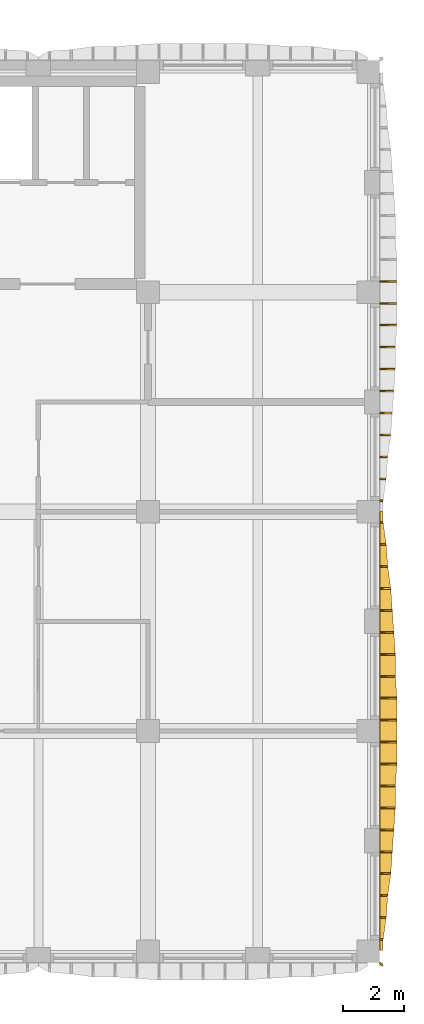
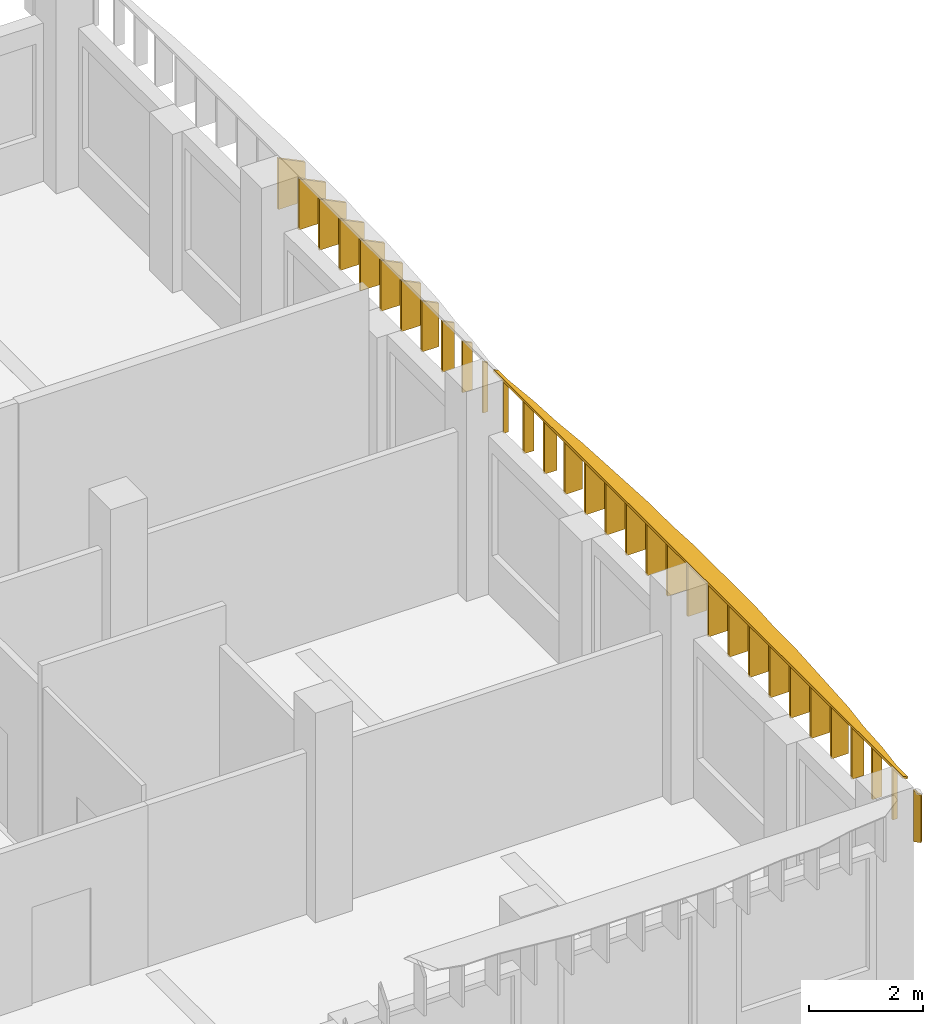
# One storey, part 34 of 54: 33 shading devices.
"""IFC4 building model written with IfcOpenShell, lengths in metres."""

from ifc_helpers import new_model, si_unit, direction, frame, origin, place, context, subcontext, project, spatial, polyline, outline, extrude, material, layer, layer_set, type_object, element, save


model = new_model("IFC4")

# Units and contexts
model_context = context("Model", 3, precision=1e-05, world=origin(), true_north=direction((0.0, 1.0)))
body_context = subcontext(model_context, "Body", "Model", "MODEL_VIEW")
ifc_project = project(units=[si_unit("LENGTHUNIT", "METRE"), si_unit("AREAUNIT", "SQUARE_METRE"), si_unit("VOLUMEUNIT", "CUBIC_METRE"), si_unit("PLANEANGLEUNIT", "RADIAN"), si_unit("MASSUNIT", "GRAM", prefix="KILO")], contexts=[model_context])

# Site, building, storey
site_placement = place(None, origin())
site = spatial("IfcSite", under=ifc_project, at=site_placement, CompositionType="ELEMENT")
building_placement = place(site_placement, origin())
building = spatial("IfcBuilding", under=site, at=building_placement, Name="Ussher Court Research Institute", CompositionType="ELEMENT")
storey_placement = place(building_placement, frame((0.0, 0.0, 14.39990234375)))
storey = spatial("IfcBuildingStorey", under=building, at=storey_placement, Name="L03", CompositionType="ELEMENT", Elevation=14.39990234375)

# Shading devices
ifc_material_1 = material(Name="Bronze anodised aluminium", Category="aluminium")
ifc_layer_1 = layer(ifc_material_1, 0.050048828125)
ifc_layer_set_1 = layer_set([ifc_layer_1], Name="Bronze anodised aluminium")
shading_device_type_1 = type_object("IfcShadingDeviceType", Name="Brim blade 100 mm deep 1100 mm high canted 26 deg wet", PredefinedType="USERDEFINED", material=ifc_layer_set_1)
for number, where, z_axis, x_axis, name in (
    (1, (104.199951171875, 18.760009765625, 3.35009765625), (0.0, 0.0, 1.0), (1.0, 0.0, 0.0), "Brim blade BS10 L03"),
    (2, (104.199951171875, 18.0400390625, 3.35009765625), (0.0, 0.0, 1.0), (1.0, 0.0, 0.0), "Brim blade BS10 L03"),
    (3, (104.199951171875, 4.360107421875, 3.35009765625), (0.0, 0.0, 1.0), (1.0, 0.0, 0.0), "Brim blade BS10 L03"),
):
    element("IfcShadingDevice", number, at=place(storey_placement, frame(where, z_axis=z_axis, x_axis=x_axis)), inside=storey, type_object=shading_device_type_1, Name=name, ObjectType="BLADE", PredefinedType="USERDEFINED", context=body_context, shape_type="SweptSolid", body=[
        extrude(outline(polyline([(0.0, 0.0), (0.10009765625, 0.0), (0.10009765625, 1.05126953125), (0.0, 1.10009765625), (0.0, 0.0)])), frame((0.0, 0.02490234375, 0.0), z_axis=(0.0, -1.0, 0.0), x_axis=(1.0, 0.0, 0.0)), (0.0, 0.0, 1.0), 0.050048828125),
    ])
ifc_material_2 = material(Name="Bronze anodised aluminium", Category="aluminium")
ifc_layer_2 = layer(ifc_material_2, 0.050048828125)
ifc_layer_set_2 = layer_set([ifc_layer_2], Name="Bronze anodised aluminium")
shading_device_type_2 = type_object("IfcShadingDeviceType", Name="Brim blade 200 mm deep 1100 mm high canted 26 deg wet", PredefinedType="USERDEFINED", material=ifc_layer_set_2)
for number, where, z_axis, x_axis, name in (
    (4, (104.199951171875, 19.47998046875, 3.35009765625), (0.0, 0.0, 1.0), (1.0, 0.0, 0.0), "Brim blade BS08 L03"),
    (5, (104.199951171875, 17.320068359375, 3.35009765625), (0.0, 0.0, 1.0), (1.0, 0.0, 0.0), "Brim blade BS08 L03"),
    (6, (104.199951171875, 5.080078125, 3.35009765625), (0.0, 0.0, 1.0), (1.0, 0.0, 0.0), "Brim blade BS08 L03"),
):
    element("IfcShadingDevice", number, at=place(storey_placement, frame(where, z_axis=z_axis, x_axis=x_axis)), inside=storey, type_object=shading_device_type_2, Name=name, ObjectType="BLADE", PredefinedType="USERDEFINED", context=body_context, shape_type="SweptSolid", body=[
        extrude(outline(polyline([(0.0, 0.0), (0.199951171875, 0.0), (0.199951171875, 1.00244140625), (0.0, 1.10009765625), (0.0, 0.0)])), frame((0.0, 0.02490234375, 0.0), z_axis=(0.0, -1.0, 0.0), x_axis=(1.0, 0.0, 0.0)), (0.0, 0.0, 1.0), 0.050048828125),
    ])
ifc_material_3 = material(Name="Bronze anodised aluminium", Category="aluminium")
ifc_layer_3 = layer(ifc_material_3, 0.050048828125)
ifc_layer_set_3 = layer_set([ifc_layer_3], Name="Bronze anodised aluminium")
shading_device_type_3 = type_object("IfcShadingDeviceType", Name="Brim blade 250 mm deep 1100 mm high canted 26 deg wet", PredefinedType="USERDEFINED", material=ifc_layer_set_3)
for number, where, z_axis, x_axis, name in (
    (7, (104.199951171875, 20.199951171875, 3.35009765625), (0.0, 0.0, 1.0), (1.0, 0.0, 0.0), "Brim blade BS07 L03"),
    (8, (104.199951171875, 16.60009765625, 3.35009765625), (0.0, 0.0, 1.0), (1.0, 0.0, 0.0), "Brim blade BS07 L03"),
    (9, (104.199951171875, 5.800048828125, 3.35009765625), (0.0, 0.0, 1.0), (1.0, 0.0, 0.0), "Brim blade BS07 L03"),
):
    element("IfcShadingDevice", number, at=place(storey_placement, frame(where, z_axis=z_axis, x_axis=x_axis)), inside=storey, type_object=shading_device_type_3, Name=name, ObjectType="BLADE", PredefinedType="USERDEFINED", context=body_context, shape_type="SweptSolid", body=[
        extrude(outline(polyline([(0.0, 0.0), (0.25, 0.0), (0.25, 0.97802734375), (0.0, 1.10009765625), (0.0, 0.0)])), frame((0.0, 0.02490234375, 0.0), z_axis=(0.0, -1.0, 0.0), x_axis=(1.0, 0.0, 0.0)), (0.0, 0.0, 1.0), 0.050048828125),
    ])
ifc_material_4 = material(Name="Bronze anodised aluminium", Category="aluminium")
ifc_layer_4 = layer(ifc_material_4, 0.050048828125)
ifc_layer_set_4 = layer_set([ifc_layer_4], Name="Bronze anodised aluminium")
shading_device_type_4 = type_object("IfcShadingDeviceType", Name="Brim blade 350 mm deep 1100 mm high canted 26 deg wet", PredefinedType="USERDEFINED", material=ifc_layer_set_4)
for number, where, z_axis, x_axis, name in (
    (10, (104.199951171875, 20.919921875, 3.35009765625), (0.0, 0.0, 1.0), (1.0, 0.0, 0.0), "Brim blade BS05 L03"),
    (11, (104.199951171875, 15.8798828125, 3.35009765625), (0.0, 0.0, 1.0), (1.0, 0.0, 0.0), "Brim blade BS05 L03"),
    (12, (104.199951171875, 6.52001953125, 3.35009765625), (0.0, 0.0, 1.0), (1.0, 0.0, 0.0), "Brim blade BS05 L03"),
):
    element("IfcShadingDevice", number, at=place(storey_placement, frame(where, z_axis=z_axis, x_axis=x_axis)), inside=storey, type_object=shading_device_type_4, Name=name, ObjectType="BLADE", PredefinedType="USERDEFINED", context=body_context, shape_type="SweptSolid", body=[
        extrude(outline(polyline([(0.0, 0.0), (0.35009765625, 0.0), (0.35009765625, 0.92919921875), (0.0, 1.10009765625), (0.0, 0.0)])), frame((0.0, 0.02490234375, 0.0), z_axis=(0.0, -1.0, 0.0), x_axis=(1.0, 0.0, 0.0)), (0.0, 0.0, 1.0), 0.050048828125),
    ])
ifc_material_5 = material(Name="Bronze anodised aluminium", Category="aluminium")
ifc_layer_5 = layer(ifc_material_5, 0.050048828125)
ifc_layer_set_5 = layer_set([ifc_layer_5], Name="Bronze anodised aluminium")
shading_device_type_5 = type_object("IfcShadingDeviceType", Name="Brim blade 400 mm deep 1100 mm high canted 26 deg wet", PredefinedType="USERDEFINED", material=ifc_layer_set_5)
for number, where, z_axis, x_axis, name in (
    (13, (104.199951171875, 21.639892578125, 3.35009765625), (0.0, 0.0, 1.0), (1.0, 0.0, 0.0), "Brim blade BS04 L03"),
    (14, (104.199951171875, 15.159912109375, 3.35009765625), (0.0, 0.0, 1.0), (1.0, 0.0, 0.0), "Brim blade BS04 L03"),
    (15, (104.199951171875, 7.239990234375, 3.35009765625), (0.0, 0.0, 1.0), (1.0, 0.0, 0.0), "Brim blade BS04 L03"),
):
    element("IfcShadingDevice", number, at=place(storey_placement, frame(where, z_axis=z_axis, x_axis=x_axis)), inside=storey, type_object=shading_device_type_5, Name=name, ObjectType="BLADE", PredefinedType="USERDEFINED", context=body_context, shape_type="SweptSolid", body=[
        extrude(outline(polyline([(0.0, 0.0), (0.400146484375, 0.0), (0.39990234375, 0.90478515625), (0.0, 1.10009765625), (0.0, 0.0)])), frame((0.0, 0.02490234375, 0.0), z_axis=(0.0, -1.0, 0.0), x_axis=(1.0, 0.0, 0.0)), (0.0, 0.0, 1.0), 0.050048828125),
    ])
ifc_material_6 = material(Name="Bronze anodised aluminium", Category="aluminium")
ifc_layer_6 = layer(ifc_material_6, 0.050048828125)
ifc_layer_set_6 = layer_set([ifc_layer_6], Name="Bronze anodised aluminium")
shading_device_type_6 = type_object("IfcShadingDeviceType", Name="Brim blade 450 mm deep 1100 mm high canted 26 deg wet", PredefinedType="USERDEFINED", material=ifc_layer_set_6)
for number, where, z_axis, x_axis, name in (
    (16, (104.199951171875, 22.360107421875, 3.35009765625), (0.0, 0.0, 1.0), (1.0, 0.0, 0.0), "Brim blade BS03 L03"),
    (17, (104.199951171875, 14.43994140625, 3.35009765625), (0.0, 0.0, 1.0), (1.0, 0.0, 0.0), "Brim blade BS03 L03"),
    (18, (104.199951171875, 7.9599609375, 3.35009765625), (0.0, 0.0, 1.0), (1.0, 0.0, 0.0), "Brim blade BS03 L03"),
):
    element("IfcShadingDevice", number, at=place(storey_placement, frame(where, z_axis=z_axis, x_axis=x_axis)), inside=storey, type_object=shading_device_type_6, Name=name, ObjectType="BLADE", PredefinedType="USERDEFINED", context=body_context, shape_type="SweptSolid", body=[
        extrude(outline(polyline([(0.0, 0.0), (0.449951171875, 0.0), (0.449951171875, 0.880615234375), (0.0, 1.10009765625), (0.0, 0.0)])), frame((0.0, 0.02490234375, 0.0), z_axis=(0.0, -1.0, 0.0), x_axis=(1.0, 0.0, 0.0)), (0.0, 0.0, 1.0), 0.050048828125),
    ])
ifc_material_7 = material(Name="Bronze anodised aluminium", Category="aluminium")
ifc_layer_7 = layer(ifc_material_7, 0.050048828125)
ifc_layer_set_7 = layer_set([ifc_layer_7], Name="Bronze anodised aluminium")
shading_device_type_7 = type_object("IfcShadingDeviceType", Name="Brim blade 500 mm deep 1100 mm high canted 26 deg wet", PredefinedType="USERDEFINED", material=ifc_layer_set_7)
for number, where, z_axis, x_axis, name in (
    (19, (104.199951171875, 23.800048828125, 3.35009765625), (0.0, 0.0, 1.0), (1.0, 0.0, 0.0), "Brim blade BS02 L03"),
    (20, (104.199951171875, 23.080078125, 3.35009765625), (0.0, 0.0, 1.0), (1.0, 0.0, 0.0), "Brim blade BS02 L03"),
    (21, (104.199951171875, 13.719970703125, 3.35009765625), (0.0, 0.0, 1.0), (1.0, 0.0, 0.0), "Brim blade BS02 L03"),
    (22, (104.199951171875, 13.0, 3.35009765625), (0.0, 0.0, 1.0), (1.0, 0.0, 0.0), "Brim blade BS02 L03"),
    (23, (104.199951171875, 9.39990234375, 3.35009765625), (0.0, 0.0, 1.0), (1.0, 0.0, 0.0), "Brim blade BS02 L03"),
    (24, (104.199951171875, 8.679931640625, 3.35009765625), (0.0, 0.0, 1.0), (1.0, 0.0, 0.0), "Brim blade BS02 L03"),
):
    element("IfcShadingDevice", number, at=place(storey_placement, frame(where, z_axis=z_axis, x_axis=x_axis)), inside=storey, type_object=shading_device_type_7, Name=name, ObjectType="BLADE", PredefinedType="USERDEFINED", context=body_context, shape_type="SweptSolid", body=[
        extrude(outline(polyline([(0.0, 0.0), (0.5, 0.0), (0.5, 0.856201171875), (0.0, 1.10009765625), (0.0, 0.0)])), frame((0.0, 0.02490234375, 0.0), z_axis=(0.0, -1.0, 0.0), x_axis=(1.0, 0.0, 0.0)), (0.0, 0.0, 1.0), 0.050048828125),
    ])
ifc_material_8 = material(Name="Bronze anodised aluminium", Category="aluminium")
ifc_layer_8 = layer(ifc_material_8, 0.050048828125)
ifc_layer_set_8 = layer_set([ifc_layer_8], Name="Bronze anodised aluminium")
shading_device_type_8 = type_object("IfcShadingDeviceType", Name="Brim blade 550 mm deep 1100 mm high canted 26 deg wet", PredefinedType="USERDEFINED", material=ifc_layer_set_8)
for number, where, z_axis, x_axis, name in (
    (25, (104.199951171875, 25.9599609375, 3.35009765625), (0.0, 0.0, 1.0), (1.0, 0.0, 0.0), "Brim blade BS01 L03"),
    (26, (104.199951171875, 25.239990234375, 3.35009765625), (0.0, 0.0, 1.0), (1.0, 0.0, 0.0), "Brim blade BS01 L03"),
    (27, (104.199951171875, 24.52001953125, 3.35009765625), (0.0, 0.0, 1.0), (1.0, 0.0, 0.0), "Brim blade BS01 L03"),
    (28, (104.199951171875, 12.280029296875, 3.35009765625), (0.0, 0.0, 1.0), (1.0, 0.0, 0.0), "Brim blade BS01 L03"),
    (29, (104.199951171875, 11.56005859375, 3.35009765625), (0.0, 0.0, 1.0), (1.0, 0.0, 0.0), "Brim blade BS01 L03"),
    (30, (104.199951171875, 10.840087890625, 3.35009765625), (0.0, 0.0, 1.0), (1.0, 0.0, 0.0), "Brim blade BS01 L03"),
    (31, (104.199951171875, 10.1201171875, 3.35009765625), (0.0, 0.0, 1.0), (1.0, 0.0, 0.0), "Brim blade BS01 L03"),
):
    element("IfcShadingDevice", number, at=place(storey_placement, frame(where, z_axis=z_axis, x_axis=x_axis)), inside=storey, type_object=shading_device_type_8, Name=name, ObjectType="BLADE", PredefinedType="USERDEFINED", context=body_context, shape_type="SweptSolid", body=[
        extrude(outline(polyline([(0.0, 0.0), (0.550048828125, 0.0), (0.550048828125, 0.831787109375), (0.0, 1.10009765625), (0.0, 0.0)])), frame((0.0, 0.02490234375, 0.0), z_axis=(0.0, -1.0, 0.0), x_axis=(1.0, 0.0, 0.0)), (0.0, 0.0, 1.0), 0.050048828125),
    ])
ifc_material_9 = material(Name="Bronze anodised aluminium", Category="aluminium")
ifc_layer_9 = layer(ifc_material_9, 0.050048828125)
ifc_layer_set_9 = layer_set([ifc_layer_9], Name="Bronze anodised aluminium")
shading_device_type_9 = type_object("IfcShadingDeviceType", Name="Brim mitre blade 100 mm deep 1100 mm high canted 26 deg wet", PredefinedType="USERDEFINED", material=ifc_layer_set_9)
shading_device_1_placement = place(storey_placement, frame((104.199951171875, 3.60009765625, 3.35009765625), z_axis=(0.0, 0.0, 1.0), x_axis=(0.707106781187, -0.707106781187, 0.0)))
element("IfcShadingDevice", 32, at=shading_device_1_placement, inside=storey, type_object=shading_device_type_9, Name="Brim mitre blade BS18 L03", ObjectType="BLADE", PredefinedType="USERDEFINED", context=body_context, shape_type="SweptSolid", body=[
    extrude(outline(polyline([(0.0, 0.0), (0.1416015625, 0.0), (0.141357421875, 1.00244140625), (0.0, 1.10009765625), (0.0, 0.0)])), frame((0.0, 0.02490234375, 0.0), z_axis=(0.0, -1.0, 0.0), x_axis=(1.0, 0.0, 0.0)), (0.0, 0.0, 1.0), 0.050048828125),
])
ifc_material_10 = material(Name="Bronze anodised aluminium", Category="aluminium")
ifc_layer_10 = layer(ifc_material_10, 0.0400390625)
ifc_layer_set_10 = layer_set([ifc_layer_10], Name="Bronze anodised aluminium")
shading_device_type_10 = type_object("IfcShadingDeviceType", Name="Brim visor sheet 40 mm canted 26 deg wet", PredefinedType="USERDEFINED", material=ifc_layer_set_10)
shading_device_2_placement = place(storey_placement, frame((104.217529296875, 18.39990234375, 4.486083984375), z_axis=(0.438529187419, 0.0, 0.898716947532), x_axis=(0.0, -1.0, 0.0)))
element("IfcShadingDevice", 33, at=shading_device_2_placement, inside=storey, type_object=shading_device_type_10, Name="Brim visor sheet BR1 L03", ObjectType="BRIM", PredefinedType="USERDEFINED", context=body_context, shape_type="SweptSolid", body=[
    extrude(outline(polyline([(0.0, 0.0), (14.39990234375, 0.0), (14.39990234375, 0.11115260474230423), (14.039794921875, 0.11115260474230423), (13.31982421875, 0.22252462280187707), (12.599853515625, 0.2782106318316635), (11.8798828125, 0.38936323657396776), (11.159912109375, 0.4449421828138569), (10.43994140625, 0.5006281918436433), (9.719970703125, 0.5563142008734296), (9.0, 0.5563142008734296), (8.27978515625, 0.6120002099032161), (7.559814453125, 0.6120002099032161), (6.83984375, 0.6120002099032161), (6.119873046875, 0.6120002099032161), (5.39990234375, 0.5563142008734296), (4.679931640625, 0.5563142008734296), (3.9599609375, 0.5006281918436433), (3.239990234375, 0.4449421828138569), (2.52001953125, 0.38936323657396776), (1.7998046875, 0.2782106318316635), (1.079833984375, 0.22252462280187707), (0.35986328125, 0.11115260474230423), (0.0, 0.11115260474230423), (0.0, 0.0)])), origin(), (0.0, 0.0, -1.0), 0.0400390625),
])

save(model, "model.ifc")
